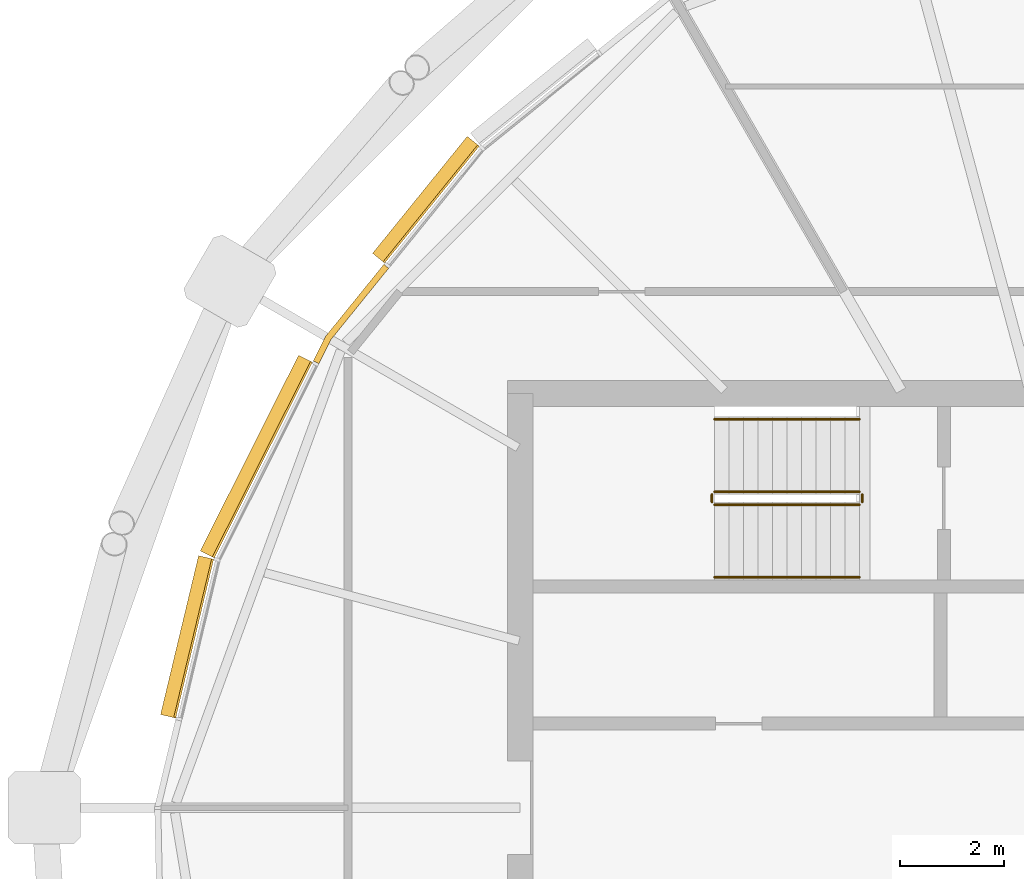
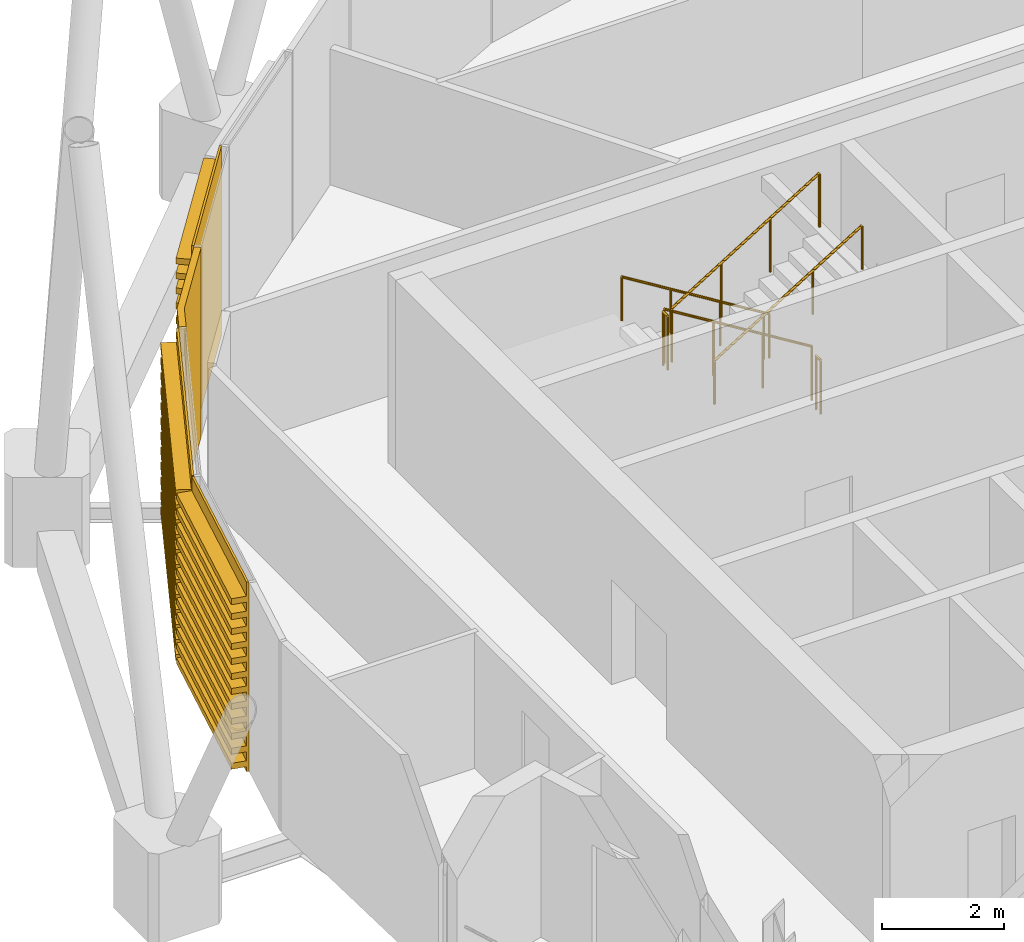
# One storey, part 30 of 31: 6 railings, 4 coverings.
"""IFC4 building model written with IfcOpenShell, lengths in metres."""

from ifc_helpers import new_model, si_unit, direction, frame, origin, origin_2d, place, context, subcontext, project, spatial, polyline, circle, outline, extrude, material, layer, layer_set, material_profile, profile_set, type_object, element, save


model = new_model("IFC4")

# Units and contexts
model_context = context("Model", 3, precision=1e-05, world=origin(), true_north=direction((0.0, 1.0)))
body_context = subcontext(model_context, "Body", "Model", "MODEL_VIEW")
ifc_project = project(units=[si_unit("LENGTHUNIT", "METRE"), si_unit("AREAUNIT", "SQUARE_METRE"), si_unit("VOLUMEUNIT", "CUBIC_METRE"), si_unit("PLANEANGLEUNIT", "RADIAN"), si_unit("MASSUNIT", "GRAM", prefix="KILO")], contexts=[model_context])

# Site, building, storey
site_placement = place(None, origin())
site = spatial("IfcSite", under=ifc_project, at=site_placement, CompositionType="ELEMENT")
building_placement = place(site_placement, origin())
building = spatial("IfcBuilding", under=site, at=building_placement, Name="Rimbun Link Towers", CompositionType="ELEMENT")
storey_placement = place(building_placement, frame((0.0, 0.0, 244.699951171875)))
storey = spatial("IfcBuildingStorey", under=building, at=storey_placement, Name="L60", CompositionType="ELEMENT", Elevation=244.699951171875)

# Covering
ifc_material_1 = material(Name="Terracotta", Category="masonry")
ifc_layer = layer(ifc_material_1, 0.1201171875)
ifc_layer_set = layer_set([ifc_layer], Name="LINK PIER terracotta cladding 120")
covering_type_1 = type_object("IfcCoveringType", Name="LINK PIER terracotta cladding 120", PredefinedType="CLADDING", material=ifc_layer_set)
covering_1_placement = place(storey_placement, origin())
element("IfcCovering", 1, at=covering_1_placement, inside=storey, type_object=covering_type_1, Name="LINK PIER cladding", PredefinedType="CLADDING", context=body_context, shape_type="SweptSolid", body=[
    extrude(outline(polyline([(15.862060546875, 8.573486328125), (16.09521484375, 9.038330078125), (17.208984375, 10.4140625), (17.11572265625, 10.489501953125), (15.993896484375, 9.103759765625), (15.754638671875, 8.62744140625), (15.862060546875, 8.573486328125)])), origin(), (0.0, 0.0, 1.0), 3.800048828125),
])

# Railings
ifc_material_2 = material(Name="Stainless steel grade 316", Category="steel")
railing_type_1 = type_object("IfcRailingType", Name="Stair guard", PredefinedType="GUARDRAIL", material=ifc_material_2)
railing_1_placement = place(storey_placement, frame((26.300048828125, 6.10009765625, 0.1728515625)))
element("IfcRailing", 2, at=railing_1_placement, inside=storey, type_object=railing_type_1, Name="L60 ST3 stair guard 1", PredefinedType="GUARDRAIL", context=body_context, shape_type="SweptSolid", body=[
    extrude(circle(Radius=0.02392578125, at=origin_2d()), frame((0.0, 0.0, 1.076171875), z_axis=(-0.851089632645, 0.0, 0.525020415988), x_axis=(0.0, -1.0, 0.0)), (0.0, 0.0, 1.0), 3.2900390625),
    extrude(circle(Radius=0.02099609375, at=origin_2d()), origin(), (0.0, 0.0, 1.0), 1.052001953125),
    extrude(circle(Radius=0.02099609375, at=origin_2d()), frame((-0.933349609375, 0.0, 0.57568359375)), (0.0, 0.0, 1.0), 1.052001953125),
    extrude(circle(Radius=0.02099609375, at=origin_2d()), frame((-1.86669921875, 0.0, 1.151611328125)), (0.0, 0.0, 1.0), 1.052001953125),
    extrude(circle(Radius=0.02099609375, at=origin_2d()), frame((-2.800048828125, 0.0, 1.727294921875)), (0.0, 0.0, 1.0), 1.052001953125),
])
railing_2_placement = place(storey_placement, frame((23.449951171875, 6.050048828125, 1.900146484375)))
element("IfcRailing", 3, at=railing_2_placement, inside=storey, type_object=railing_type_1, Name="L60 ST3 stair guard 2", PredefinedType="GUARDRAIL", context=body_context, shape_type="SweptSolid", body=[
    extrude(circle(Radius=0.02392578125, at=origin_2d()), frame((0.0, 0.0, 1.076171875), z_axis=(0.0, -1.0, 0.0), x_axis=(1.0, 0.0, 0.0)), (0.0, 0.0, 1.0), 0.150146484375),
    extrude(circle(Radius=0.02099609375, at=origin_2d()), origin(), (0.0, 0.0, 1.0), 1.052001953125),
    extrude(circle(Radius=0.02099609375, at=origin_2d()), frame((0.0, -0.150146484375, 0.0)), (0.0, 0.0, 1.0), 1.052001953125),
])
railing_3_placement = place(storey_placement, frame((23.5, 5.85009765625, 2.07275390625)))
element("IfcRailing", 4, at=railing_3_placement, inside=storey, type_object=railing_type_1, Name="L60 ST3 stair guard 3", PredefinedType="GUARDRAIL", context=body_context, shape_type="SweptSolid", body=[
    extrude(circle(Radius=0.02392578125, at=origin_2d()), frame((0.0, 0.0, 1.076171875), z_axis=(0.851089632645, 0.0, 0.525020415988), x_axis=(0.0, 1.0, 0.0)), (0.0, 0.0, 1.0), 3.2900390625),
    extrude(circle(Radius=0.02099609375, at=origin_2d()), origin(), (0.0, 0.0, 1.0), 1.052001953125),
    extrude(circle(Radius=0.02099609375, at=origin_2d()), frame((0.933349609375, 0.0, 0.57568359375)), (0.0, 0.0, 1.0), 1.052001953125),
    extrude(circle(Radius=0.02099609375, at=origin_2d()), frame((1.86669921875, 0.0, 1.151611328125)), (0.0, 0.0, 1.0), 1.052001953125),
    extrude(circle(Radius=0.02099609375, at=origin_2d()), frame((2.800048828125, 0.0, 1.727294921875)), (0.0, 0.0, 1.0), 1.052001953125),
])
railing_4_placement = place(storey_placement, frame((26.35009765625, 6.050048828125, 0.0)))
element("IfcRailing", 5, at=railing_4_placement, inside=storey, type_object=railing_type_1, Name="L60 ST3 stair guard 4", PredefinedType="GUARDRAIL", context=body_context, shape_type="SweptSolid", body=[
    extrude(circle(Radius=0.02392578125, at=origin_2d()), frame((0.0, 0.0, 1.076171875), z_axis=(0.0, -1.0, 0.0), x_axis=(1.0, 0.0, 0.0)), (0.0, 0.0, 1.0), 0.150146484375),
    extrude(circle(Radius=0.02099609375, at=origin_2d()), origin(), (0.0, 0.0, 1.0), 1.052001953125),
    extrude(circle(Radius=0.02099609375, at=origin_2d()), frame((0.0, -0.150146484375, 0.0)), (0.0, 0.0, 1.0), 1.052001953125),
])
ifc_material_3 = material(Name="Stainless steel grade 316", Category="steel")
railing_type_2 = type_object("IfcRailingType", Name="Stair handrail", PredefinedType="HANDRAIL", material=ifc_material_3)
railing_5_placement = place(storey_placement, frame((26.300048828125, 7.5, 0.1728515625)))
element("IfcRailing", 6, at=railing_5_placement, inside=storey, type_object=railing_type_2, Name="L60 ST3 stair handrail 1", PredefinedType="HANDRAIL", context=body_context, shape_type="SweptSolid", body=[
    extrude(circle(Radius=0.02392578125, at=origin_2d()), frame((0.0, 0.0, 0.8759765625), z_axis=(-0.851089632645, 0.0, 0.525020415988), x_axis=(0.0, -1.0, 0.0)), (0.0, 0.0, 1.0), 3.2900390625),
    extrude(circle(Radius=0.02099609375, at=origin_2d()), origin(), (0.0, 0.0, 1.0), 0.851806640625),
    extrude(circle(Radius=0.02099609375, at=origin_2d()), frame((-0.933349609375, 0.0, 0.57568359375)), (0.0, 0.0, 1.0), 0.851806640625),
    extrude(circle(Radius=0.02099609375, at=origin_2d()), frame((-1.86669921875, 0.0, 1.151611328125)), (0.0, 0.0, 1.0), 0.851806640625),
    extrude(circle(Radius=0.02099609375, at=origin_2d()), frame((-2.800048828125, 0.0, 1.727294921875)), (0.0, 0.0, 1.0), 0.851806640625),
])
railing_6_placement = place(storey_placement, frame((23.5, 4.449951171875, 2.07275390625)))
element("IfcRailing", 7, at=railing_6_placement, inside=storey, type_object=railing_type_2, Name="L60 ST3 stair handrail 2", PredefinedType="HANDRAIL", context=body_context, shape_type="SweptSolid", body=[
    extrude(circle(Radius=0.02392578125, at=origin_2d()), frame((0.0, 0.0, 0.8759765625), z_axis=(0.851089632645, 0.0, 0.525020415988), x_axis=(0.0, 1.0, 0.0)), (0.0, 0.0, 1.0), 3.2900390625),
    extrude(circle(Radius=0.02099609375, at=origin_2d()), origin(), (0.0, 0.0, 1.0), 0.851806640625),
    extrude(circle(Radius=0.02099609375, at=origin_2d()), frame((0.933349609375, 0.0, 0.57568359375)), (0.0, 0.0, 1.0), 0.851806640625),
    extrude(circle(Radius=0.02099609375, at=origin_2d()), frame((1.86669921875, 0.0, 1.151611328125)), (0.0, 0.0, 1.0), 0.851806640625),
    extrude(circle(Radius=0.02099609375, at=origin_2d()), frame((2.800048828125, 0.0, 1.727294921875)), (0.0, 0.0, 1.0), 0.851806640625),
])

# Coverings
ifc_material_4 = material(Name="Terracotta", Category="masonry")
ifc_material_profile = material_profile(ifc_material_4, outline(polyline([(0.123046875, 0.0), (0.1630859375, 0.0), (0.1630859375, 0.10009765625), (0.423095703125, 0.10009765625), (0.423095703125, 0.219970703125), (0.1630859375, 0.219970703125), (0.1630859375, 0.39990234375), (0.423095703125, 0.39990234375), (0.423095703125, 0.52001953125), (0.1630859375, 0.52001953125), (0.1630859375, 0.699951171875), (0.423095703125, 0.699951171875), (0.423095703125, 0.820068359375), (0.1630859375, 0.820068359375), (0.1630859375, 1.0), (0.423095703125, 1.0), (0.423095703125, 1.1201171875), (0.1630859375, 1.1201171875), (0.1630859375, 1.300048828125), (0.423095703125, 1.300048828125), (0.423095703125, 1.419921875), (0.1630859375, 1.419921875), (0.1630859375, 1.60009765625), (0.423095703125, 1.60009765625), (0.423095703125, 1.719970703125), (0.1630859375, 1.719970703125), (0.1630859375, 1.89990234375), (0.423095703125, 1.89990234375), (0.423095703125, 2.02001953125), (0.1630859375, 2.02001953125), (0.1630859375, 2.199951171875), (0.423095703125, 2.199951171875), (0.423095703125, 2.320068359375), (0.1630859375, 2.320068359375), (0.1630859375, 2.5), (0.423095703125, 2.5), (0.423095703125, 2.6201171875), (0.1630859375, 2.6201171875), (0.1630859375, 2.800048828125), (0.423095703125, 2.800048828125), (0.423095703125, 2.919921875), (0.1630859375, 2.919921875), (0.1630859375, 3.10009765625), (0.423095703125, 3.10009765625), (0.423095703125, 3.219970703125), (0.1630859375, 3.219970703125), (0.1630859375, 3.39990234375), (0.423095703125, 3.39990234375), (0.423095703125, 3.52001953125), (0.1630859375, 3.52001953125), (0.1630859375, 3.800048828125), (0.123046875, 3.800048828125), (0.123046875, 0.0)])), Name="BAGUETTE 120X300")
ifc_profile_set = profile_set([ifc_material_profile], Name="Terracotta")
covering_type_2 = type_object("IfcCoveringType", Name="TERRACOTTA BAGUETTE 120X300 H3800", PredefinedType="CLADDING", material=ifc_profile_set)
covering_2_placement = place(storey_placement, frame((17.227783203125, 10.4375, 0.0), z_axis=(0.629205483323, 0.777238997836, 0.0), x_axis=(-0.777238997836, 0.629205483323, 0.0)))
element("IfcCovering", 8, at=covering_2_placement, inside=storey, type_object=covering_type_2, Name="TERRACOTTA BAGUETTE", PredefinedType="CLADDING", context=body_context, shape_type="SweptSolid", body=[
    extrude(outline(polyline([(0.123046875, 0.0), (0.1630859375, 0.0), (0.1630859375, 0.10009765625), (0.423095703125, 0.10009765625), (0.423095703125, 0.219970703125), (0.1630859375, 0.219970703125), (0.1630859375, 0.39990234375), (0.423095703125, 0.39990234375), (0.423095703125, 0.52001953125), (0.1630859375, 0.52001953125), (0.1630859375, 0.699951171875), (0.423095703125, 0.699951171875), (0.423095703125, 0.820068359375), (0.1630859375, 0.820068359375), (0.1630859375, 1.0), (0.423095703125, 1.0), (0.423095703125, 1.1201171875), (0.1630859375, 1.1201171875), (0.1630859375, 1.300048828125), (0.423095703125, 1.300048828125), (0.423095703125, 1.419921875), (0.1630859375, 1.419921875), (0.1630859375, 1.60009765625), (0.423095703125, 1.60009765625), (0.423095703125, 1.719970703125), (0.1630859375, 1.719970703125), (0.1630859375, 1.89990234375), (0.423095703125, 1.89990234375), (0.423095703125, 2.02001953125), (0.1630859375, 2.02001953125), (0.1630859375, 2.199951171875), (0.423095703125, 2.199951171875), (0.423095703125, 2.320068359375), (0.1630859375, 2.320068359375), (0.1630859375, 2.5), (0.423095703125, 2.5), (0.423095703125, 2.6201171875), (0.1630859375, 2.6201171875), (0.1630859375, 2.800048828125), (0.423095703125, 2.800048828125), (0.423095703125, 2.919921875), (0.1630859375, 2.919921875), (0.1630859375, 3.10009765625), (0.423095703125, 3.10009765625), (0.423095703125, 3.219970703125), (0.1630859375, 3.219970703125), (0.1630859375, 3.39990234375), (0.423095703125, 3.39990234375), (0.423095703125, 3.52001953125), (0.1630859375, 3.52001953125), (0.1630859375, 3.800048828125), (0.123046875, 3.800048828125), (0.123046875, 0.0)])), origin(), (0.0, 0.0, 1.0), 2.904296875),
])
covering_3_placement = place(storey_placement, frame((13.951416015625, 4.76904296875, 0.0), z_axis=(0.448737614092, 0.89366355733, 0.0), x_axis=(-0.89366355733, 0.448737614092, 0.0)))
element("IfcCovering", 9, at=covering_3_placement, inside=storey, type_object=covering_type_2, Name="TERRACOTTA BAGUETTE", PredefinedType="CLADDING", context=body_context, shape_type="SweptSolid", body=[
    extrude(outline(polyline([(0.123046875, 0.0), (0.1630859375, 0.0), (0.1630859375, 0.10009765625), (0.423095703125, 0.10009765625), (0.423095703125, 0.219970703125), (0.1630859375, 0.219970703125), (0.1630859375, 0.39990234375), (0.423095703125, 0.39990234375), (0.423095703125, 0.52001953125), (0.1630859375, 0.52001953125), (0.1630859375, 0.699951171875), (0.423095703125, 0.699951171875), (0.423095703125, 0.820068359375), (0.1630859375, 0.820068359375), (0.1630859375, 1.0), (0.423095703125, 1.0), (0.423095703125, 1.1201171875), (0.1630859375, 1.1201171875), (0.1630859375, 1.300048828125), (0.423095703125, 1.300048828125), (0.423095703125, 1.419921875), (0.1630859375, 1.419921875), (0.1630859375, 1.60009765625), (0.423095703125, 1.60009765625), (0.423095703125, 1.719970703125), (0.1630859375, 1.719970703125), (0.1630859375, 1.89990234375), (0.423095703125, 1.89990234375), (0.423095703125, 2.02001953125), (0.1630859375, 2.02001953125), (0.1630859375, 2.199951171875), (0.423095703125, 2.199951171875), (0.423095703125, 2.320068359375), (0.1630859375, 2.320068359375), (0.1630859375, 2.5), (0.423095703125, 2.5), (0.423095703125, 2.6201171875), (0.1630859375, 2.6201171875), (0.1630859375, 2.800048828125), (0.423095703125, 2.800048828125), (0.423095703125, 2.919921875), (0.1630859375, 2.919921875), (0.1630859375, 3.10009765625), (0.423095703125, 3.10009765625), (0.423095703125, 3.219970703125), (0.1630859375, 3.219970703125), (0.1630859375, 3.39990234375), (0.423095703125, 3.39990234375), (0.423095703125, 3.52001953125), (0.1630859375, 3.52001953125), (0.1630859375, 3.800048828125), (0.123046875, 3.800048828125), (0.123046875, 0.0)])), origin(), (0.0, 0.0, 1.0), 4.227294921875),
])
covering_4_placement = place(storey_placement, frame((13.2177734375, 1.701904296875, 0.0), z_axis=(0.232632113265, 0.972564804976, 0.0), x_axis=(-0.972564804976, 0.232632113265, 0.0)))
element("IfcCovering", 10, at=covering_4_placement, inside=storey, type_object=covering_type_2, Name="TERRACOTTA BAGUETTE", PredefinedType="CLADDING", context=body_context, shape_type="SweptSolid", body=[
    extrude(outline(polyline([(0.123046875, 0.0), (0.1630859375, 0.0), (0.1630859375, 0.10009765625), (0.423095703125, 0.10009765625), (0.423095703125, 0.219970703125), (0.1630859375, 0.219970703125), (0.1630859375, 0.39990234375), (0.423095703125, 0.39990234375), (0.423095703125, 0.52001953125), (0.1630859375, 0.52001953125), (0.1630859375, 0.699951171875), (0.423095703125, 0.699951171875), (0.423095703125, 0.820068359375), (0.1630859375, 0.820068359375), (0.1630859375, 1.0), (0.423095703125, 1.0), (0.423095703125, 1.1201171875), (0.1630859375, 1.1201171875), (0.1630859375, 1.300048828125), (0.423095703125, 1.300048828125), (0.423095703125, 1.419921875), (0.1630859375, 1.419921875), (0.1630859375, 1.60009765625), (0.423095703125, 1.60009765625), (0.423095703125, 1.719970703125), (0.1630859375, 1.719970703125), (0.1630859375, 1.89990234375), (0.423095703125, 1.89990234375), (0.423095703125, 2.02001953125), (0.1630859375, 2.02001953125), (0.1630859375, 2.199951171875), (0.423095703125, 2.199951171875), (0.423095703125, 2.320068359375), (0.1630859375, 2.320068359375), (0.1630859375, 2.5), (0.423095703125, 2.5), (0.423095703125, 2.6201171875), (0.1630859375, 2.6201171875), (0.1630859375, 2.800048828125), (0.423095703125, 2.800048828125), (0.423095703125, 2.919921875), (0.1630859375, 2.919921875), (0.1630859375, 3.10009765625), (0.423095703125, 3.10009765625), (0.423095703125, 3.219970703125), (0.1630859375, 3.219970703125), (0.1630859375, 3.39990234375), (0.423095703125, 3.39990234375), (0.423095703125, 3.52001953125), (0.1630859375, 3.52001953125), (0.1630859375, 3.800048828125), (0.123046875, 3.800048828125), (0.123046875, 0.0)])), origin(), (0.0, 0.0, 1.0), 3.153564453125),
])

save(model, "model.ifc")
